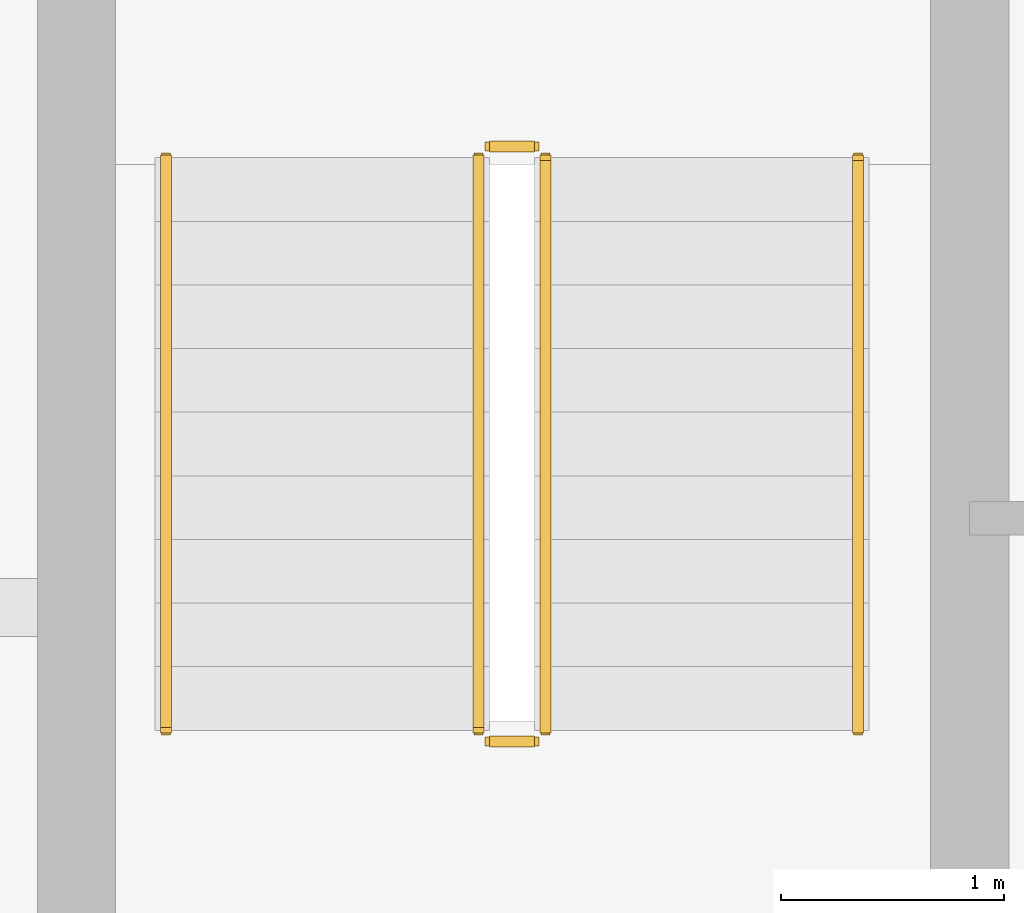
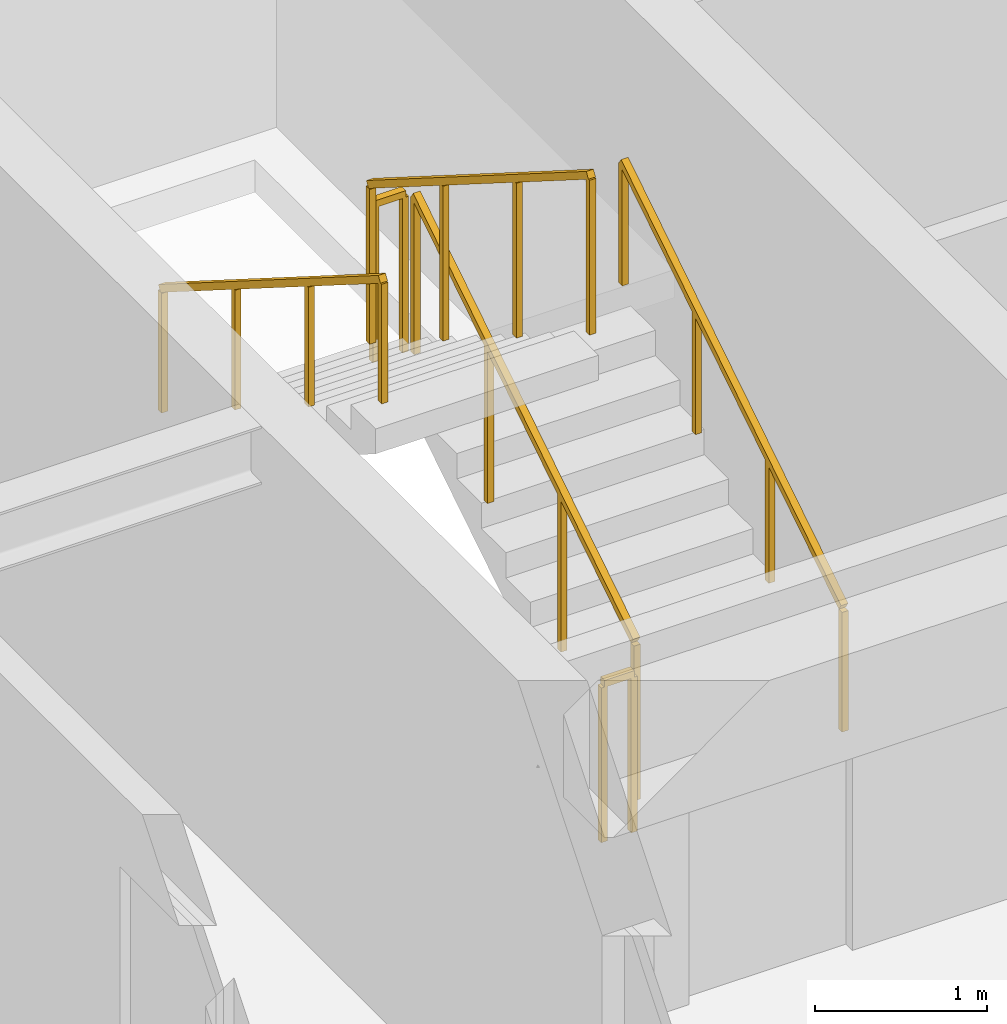
# One storey, part 20 of 22: 6 railings.
"""IFC4 building model written with IfcOpenShell, lengths in metres."""

from ifc_helpers import new_model, si_unit, direction, frame, origin, origin_2d, place, context, subcontext, project, spatial, rectangle, extrude, material, type_object, element, save


model = new_model("IFC4")

# Units and contexts
model_context = context("Model", 3, precision=1e-05, world=origin(), true_north=direction((0.0, 1.0)))
body_context = subcontext(model_context, "Body", "Model", "MODEL_VIEW")
ifc_project = project(units=[si_unit("LENGTHUNIT", "METRE"), si_unit("AREAUNIT", "SQUARE_METRE"), si_unit("VOLUMEUNIT", "CUBIC_METRE"), si_unit("PLANEANGLEUNIT", "RADIAN"), si_unit("MASSUNIT", "GRAM", prefix="KILO")], contexts=[model_context])

# Site, building, storey
site_placement = place(None, origin())
site = spatial("IfcSite", under=ifc_project, at=site_placement, CompositionType="ELEMENT")
building_placement = place(site_placement, origin())
building = spatial("IfcBuilding", under=site, at=building_placement, Name="Sarneth Arch Tower", CompositionType="ELEMENT")
storey_placement = place(building_placement, frame((0.0, 0.0, 298.199951171875)))
storey = spatial("IfcBuildingStorey", under=building, at=storey_placement, Name="L77", CompositionType="ELEMENT", Elevation=298.199951171875)

# Railings
ifc_material_1 = material(Name="Brushed Stainless Steel 304 tubular handrail", Category="steel")
railing_type_1 = type_object("IfcRailingType", Name="RAIL-HANDRAIL-900", PredefinedType="HANDRAIL", material=ifc_material_1)
railing_1_placement = place(storey_placement, frame((40.5, 41.449951171875, 0.179931640625)))
element("IfcRailing", 1, at=railing_1_placement, inside=storey, type_object=railing_type_1, Name="L77 ST-1 stair handrail 1", PredefinedType="HANDRAIL", context=body_context, shape_type="SweptSolid", body=[
    extrude(rectangle(XDim=0.048095703125, YDim=0.048095703125, at=origin_2d()), frame((0.0, 0.0, 0.8759765625), z_axis=(0.0, 0.845465955043, 0.534029323973), x_axis=(-1.0, 0.0, 0.0)), (0.0, 0.0, 1.0), 3.03369140625),
    extrude(rectangle(XDim=0.0419921875, YDim=0.0419921875, at=origin_2d()), origin(), (0.0, 0.0, 1.0), 0.851806640625),
    extrude(rectangle(XDim=0.0419921875, YDim=0.0419921875, at=origin_2d()), frame((0.0, 0.85498046875, 0.5400390625)), (0.0, 0.0, 1.0), 0.851806640625),
    extrude(rectangle(XDim=0.0419921875, YDim=0.0419921875, at=origin_2d()), frame((0.0, 1.7099609375, 1.080078125)), (0.0, 0.0, 1.0), 0.851806640625),
    extrude(rectangle(XDim=0.0419921875, YDim=0.0419921875, at=origin_2d()), frame((0.0, 2.56494140625, 1.6201171875)), (0.0, 0.0, 1.0), 0.851806640625),
])
railing_2_placement = place(storey_placement, frame((37.39990234375, 44.014892578125, 1.97998046875)))
element("IfcRailing", 2, at=railing_2_placement, inside=storey, type_object=railing_type_1, Name="L77 ST-1 stair handrail 2", PredefinedType="HANDRAIL", context=body_context, shape_type="SweptSolid", body=[
    extrude(rectangle(XDim=0.048095703125, YDim=0.048095703125, at=origin_2d()), frame((0.0, 0.0, 0.8759765625), z_axis=(0.0, -0.845465955043, 0.534029323973), x_axis=(1.0, 0.0, 0.0)), (0.0, 0.0, 1.0), 3.03369140625),
    extrude(rectangle(XDim=0.0419921875, YDim=0.0419921875, at=origin_2d()), origin(), (0.0, 0.0, 1.0), 0.851806640625),
    extrude(rectangle(XDim=0.0419921875, YDim=0.0419921875, at=origin_2d()), frame((0.0, -0.85498046875, 0.5400390625)), (0.0, 0.0, 1.0), 0.851806640625),
    extrude(rectangle(XDim=0.0419921875, YDim=0.0419921875, at=origin_2d()), frame((0.0, -1.7099609375, 1.080078125)), (0.0, 0.0, 1.0), 0.851806640625),
    extrude(rectangle(XDim=0.0419921875, YDim=0.0419921875, at=origin_2d()), frame((0.0, -2.56494140625, 1.6201171875)), (0.0, 0.0, 1.0), 0.851806640625),
])
ifc_material_2 = material(Name="Painted Steel S275 stair well guard", Category="steel")
railing_type_2 = type_object("IfcRailingType", Name="RAIL-STAIR-GUARD", PredefinedType="GUARDRAIL", material=ifc_material_2)
railing_3_placement = place(storey_placement, frame((39.10009765625, 41.449951171875, 0.179931640625)))
element("IfcRailing", 3, at=railing_3_placement, inside=storey, type_object=railing_type_2, Name="L77 ST-1 stair guard 1", PredefinedType="GUARDRAIL", context=body_context, shape_type="SweptSolid", body=[
    extrude(rectangle(XDim=0.048095703125, YDim=0.048095703125, at=origin_2d()), frame((0.0, 0.0, 1.1259765625), z_axis=(0.0, 0.845465955043, 0.534029323973), x_axis=(-1.0, 0.0, 0.0)), (0.0, 0.0, 1.0), 3.03369140625),
    extrude(rectangle(XDim=0.0419921875, YDim=0.0419921875, at=origin_2d()), origin(), (0.0, 0.0, 1.0), 1.101806640625),
    extrude(rectangle(XDim=0.0419921875, YDim=0.0419921875, at=origin_2d()), frame((0.0, 0.85498046875, 0.5400390625)), (0.0, 0.0, 1.0), 1.101806640625),
    extrude(rectangle(XDim=0.0419921875, YDim=0.0419921875, at=origin_2d()), frame((0.0, 1.7099609375, 1.080078125)), (0.0, 0.0, 1.0), 1.101806640625),
    extrude(rectangle(XDim=0.0419921875, YDim=0.0419921875, at=origin_2d()), frame((0.0, 2.56494140625, 1.6201171875)), (0.0, 0.0, 1.0), 1.101806640625),
])
railing_4_placement = place(storey_placement, frame((39.050048828125, 44.06494140625, 1.800048828125)))
element("IfcRailing", 4, at=railing_4_placement, inside=storey, type_object=railing_type_2, Name="L77 ST-1 stair guard 2", PredefinedType="GUARDRAIL", context=body_context, shape_type="SweptSolid", body=[
    extrude(rectangle(XDim=0.048095703125, YDim=0.048095703125, at=origin_2d()), frame((0.0, 0.0, 1.1259765625), z_axis=(-1.0, 0.0, 0.0), x_axis=(0.0, -1.0, 0.0)), (0.0, 0.0, 1.0), 0.199951171875),
    extrude(rectangle(XDim=0.0419921875, YDim=0.0419921875, at=origin_2d()), origin(), (0.0, 0.0, 1.0), 1.101806640625),
    extrude(rectangle(XDim=0.0419921875, YDim=0.0419921875, at=origin_2d()), frame((-0.199951171875, 0.0, 0.0)), (0.0, 0.0, 1.0), 1.101806640625),
])
railing_5_placement = place(storey_placement, frame((38.800048828125, 44.014892578125, 1.97998046875)))
element("IfcRailing", 5, at=railing_5_placement, inside=storey, type_object=railing_type_2, Name="L77 ST-1 stair guard 3", PredefinedType="GUARDRAIL", context=body_context, shape_type="SweptSolid", body=[
    extrude(rectangle(XDim=0.048095703125, YDim=0.048095703125, at=origin_2d()), frame((0.0, 0.0, 1.1259765625), z_axis=(0.0, -0.845465955043, 0.534029323973), x_axis=(1.0, 0.0, 0.0)), (0.0, 0.0, 1.0), 3.03369140625),
    extrude(rectangle(XDim=0.0419921875, YDim=0.0419921875, at=origin_2d()), origin(), (0.0, 0.0, 1.0), 1.101806640625),
    extrude(rectangle(XDim=0.0419921875, YDim=0.0419921875, at=origin_2d()), frame((0.0, -0.85498046875, 0.5400390625)), (0.0, 0.0, 1.0), 1.101806640625),
    extrude(rectangle(XDim=0.0419921875, YDim=0.0419921875, at=origin_2d()), frame((0.0, -1.7099609375, 1.080078125)), (0.0, 0.0, 1.0), 1.101806640625),
    extrude(rectangle(XDim=0.0419921875, YDim=0.0419921875, at=origin_2d()), frame((0.0, -2.56494140625, 1.6201171875)), (0.0, 0.0, 1.0), 1.101806640625),
])
railing_6_placement = place(storey_placement, frame((39.050048828125, 41.39990234375, 0.0)))
element("IfcRailing", 6, at=railing_6_placement, inside=storey, type_object=railing_type_2, Name="L77 ST-1 stair guard 4", PredefinedType="GUARDRAIL", context=body_context, shape_type="SweptSolid", body=[
    extrude(rectangle(XDim=0.048095703125, YDim=0.048095703125, at=origin_2d()), frame((0.0, 0.0, 1.1259765625), z_axis=(-1.0, 0.0, 0.0), x_axis=(0.0, -1.0, 0.0)), (0.0, 0.0, 1.0), 0.199951171875),
    extrude(rectangle(XDim=0.0419921875, YDim=0.0419921875, at=origin_2d()), origin(), (0.0, 0.0, 1.0), 1.101806640625),
    extrude(rectangle(XDim=0.0419921875, YDim=0.0419921875, at=origin_2d()), frame((-0.199951171875, 0.0, 0.0)), (0.0, 0.0, 1.0), 1.101806640625),
])

save(model, "model.ifc")
